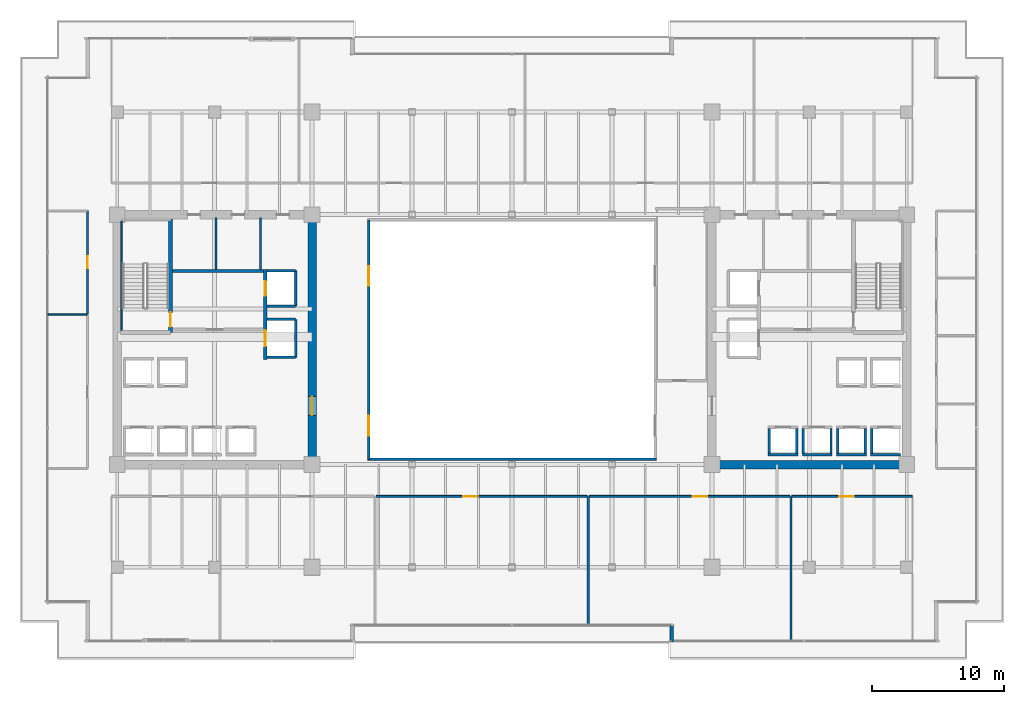
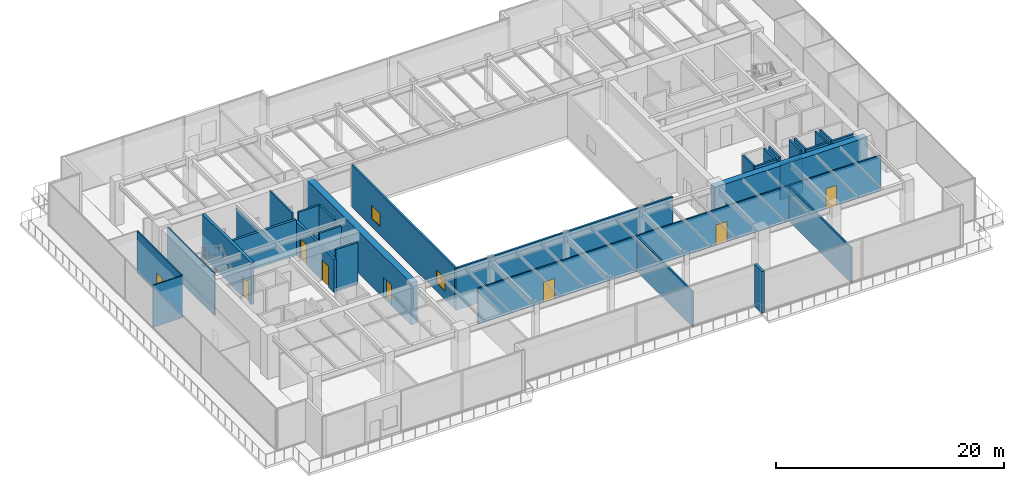
# One storey, part 26 of 33: 35 walls, 8 doors, 2 windows, 10 openings.
"""IFC4 building model written with IfcOpenShell, lengths in metres."""

from ifc_helpers import new_model, si_unit, direction, frame, frame_2d, origin, place, context, subcontext, project, spatial, rectangle, extrude, source, transform, mapped, material, layer, layer_set, type_object, type_shapes, element, fill, save


model = new_model("IFC4")

# Units and contexts
model_context = context("Model", 3, precision=1e-05, world=origin(), true_north=direction((0.0, 1.0)))
body_context = subcontext(model_context, "Body", "Model", "MODEL_VIEW")
ifc_project = project(units=[si_unit("LENGTHUNIT", "METRE"), si_unit("AREAUNIT", "SQUARE_METRE"), si_unit("VOLUMEUNIT", "CUBIC_METRE"), si_unit("PLANEANGLEUNIT", "RADIAN"), si_unit("MASSUNIT", "GRAM", prefix="KILO")], contexts=[model_context])

# Site, building, storey
site_placement = place(None, origin())
site = spatial("IfcSite", under=ifc_project, at=site_placement, CompositionType="ELEMENT")
building_placement = place(site_placement, origin())
building = spatial("IfcBuilding", under=site, at=building_placement, Name="Haelvirn Gate Laboratories", CompositionType="ELEMENT")
storey_placement = place(building_placement, frame((0.0, 0.0, 100.300048828125)))
storey = spatial("IfcBuildingStorey", under=building, at=storey_placement, Name="L24", CompositionType="ELEMENT", Elevation=100.300048828125)

# Walls
ifc_material_1 = material(Name="Thermally-broken bronze aluminium rainscreen & mineral wool", Category="aluminium")
ifc_layer_1 = layer(ifc_material_1, 0.280029296875, Name="EW-TERR-280")
ifc_layer_set_1 = layer_set([ifc_layer_1], Name="Thermally-broken bronze aluminium rainscreen & mineral wool")
wall_type_1 = type_object("IfcWallType", Name="EW-TERR-280", PredefinedType="STANDARD", material=ifc_layer_set_1)
wall_1_placement = place(storey_placement, frame((49.5400390625, 2.587890625, 0.0), z_axis=(0.0, 0.0, 1.0), x_axis=(0.0, -1.0, 0.0)))
element("IfcWall", 1, at=wall_1_placement, inside=storey, type_object=wall_type_1, Name="L24 Atrium Recess Bronze Return Wall 03", PredefinedType="STANDARD", context=body_context, shape_type="SweptSolid", body=[
    extrude(rectangle(XDim=1.287841796875, YDim=0.280029296875, at=frame_2d((0.64404296875, 0.0))), origin(), (0.0, 0.0, 1.0), 4.489990234375),
])
ifc_material_2 = material(Name="Double-layer acoustic gypsum laboratory partition", Category="gypsum")
ifc_layer_2 = layer(ifc_material_2, 0.159912109375, Name="IW-ACOUST-160")
ifc_layer_set_2 = layer_set([ifc_layer_2], Name="Double-layer acoustic gypsum laboratory partition")
wall_type_2 = type_object("IfcWallType", Name="IW-ACOUST-160", PredefinedType="PARTITIONING", material=ifc_layer_set_2)
wall_2_placement = place(storey_placement, frame((43.199951171875, 2.610107421875, 0.0), z_axis=(0.0, 0.0, 1.0), x_axis=(0.0, 1.0, 0.0)))
element("IfcWall", 2, at=wall_2_placement, inside=storey, type_object=wall_type_2, Name="L24 Interior Wall IW-L24-SDIV-03", PredefinedType="PARTITIONING", context=body_context, shape_type="SweptSolid", body=[
    extrude(rectangle(XDim=9.77978515625, YDim=0.159912109375, at=frame_2d((4.889892578125, 0.0))), origin(), (0.0, 0.0, 1.0), 3.77490234375),
])
wall_3_placement = place(storey_placement, frame((58.60009765625, 1.409912109375, 0.0), z_axis=(0.0, 0.0, 1.0), x_axis=(0.0, 1.0, 0.0)))
element("IfcWall", 3, at=wall_3_placement, inside=storey, type_object=wall_type_2, Name="L24 Interior Wall IW-L24-SDIV-04", PredefinedType="PARTITIONING", context=body_context, shape_type="SweptSolid", body=[
    extrude(rectangle(XDim=10.97998046875, YDim=0.159912109375, at=frame_2d((5.489990234375, 0.0))), origin(), (0.0, 0.0, 1.0), 3.77490234375),
])

# Wall, openings, windows
ifc_material_3 = material(Name="Tempered fire-rated borosilicate glass & anodised aluminium", Category="aluminium")
ifc_layer_3 = layer(ifc_material_3, 0.195068359375, Name="IW-GLAZ-200")
ifc_layer_set_3 = layer_set([ifc_layer_3], Name="Tempered fire-rated borosilicate glass & anodised aluminium")
wall_type_3 = type_object("IfcWallType", Name="IW-GLAZ-200", PredefinedType="SOLIDWALL", material=ifc_layer_set_3)
wall_4_placement = place(storey_placement, frame((26.5, 15.199951171875, 0.0), z_axis=(0.0, 0.0, 1.0), x_axis=(0.0, 1.0, 0.0)))
wall_4 = element("IfcWall", 4, at=wall_4_placement, inside=storey, type_object=wall_type_3, Name="L24 Interior Wall IW-L24-ATRIUM-W", PredefinedType="SOLIDWALL", context=body_context, shape_type="SweptSolid", body=[
    extrude(rectangle(XDim=18.199951171875, YDim=0.195068359375, at=frame_2d((9.10009765625, 0.0))), origin(), (0.0, 0.0, 1.0), 4.489990234375),
])
opening_1_placement = place(wall_4_placement, frame((1.800048828125, 0.0, 0.89990234375)))
opening_1 = element("IfcOpeningElement", 5, at=opening_1_placement, cuts=wall_4, Name="Opening W5", PredefinedType="OPENING", context=body_context, shape_type="SweptSolid", body=[
    extrude(rectangle(XDim=1.5, YDim=1.39990234375, at=frame_2d((0.75, 0.699951171875))), frame((0.0, 0.107421875, 0.0), z_axis=(0.0, -1.0, 0.0), x_axis=(1.0, 0.0, 0.0)), (0.0, 0.0, 1.0), 0.215087890625),
])
opening_2_placement = place(wall_4_placement, frame((13.199951171875, 0.0, 0.89990234375)))
opening_2 = element("IfcOpeningElement", 6, at=opening_2_placement, cuts=wall_4, Name="Opening W5", PredefinedType="OPENING", context=body_context, shape_type="SweptSolid", body=[
    extrude(rectangle(XDim=1.5, YDim=1.39990234375, at=frame_2d((0.75, 0.699951171875))), frame((0.0, 0.107421875, 0.0), z_axis=(0.0, -1.0, 0.0), x_axis=(1.0, 0.0, 0.0)), (0.0, 0.0, 1.0), 0.215087890625),
])
ifc_material_4 = material(Name="Fire-rated EI 120 borosilicate atrium vision glazing", Category="glass")
window_type = type_object("IfcWindowType", Name="WN-ATR-1500", PartitioningType="SINGLE_PANEL", PredefinedType="WINDOW", material=ifc_material_4)
shared_shape_1 = source(origin(), body_context, "Body", "SweptSolid", [
    extrude(rectangle(XDim=1.5, YDim=1.39990234375, at=frame_2d((0.75, 0.699951171875))), frame((0.0, 0.030029296875, 0.0), z_axis=(0.0, -1.0, 0.0), x_axis=(1.0, 0.0, 0.0)), (0.0, 0.0, 1.0), 0.06005859375),
])
type_shapes(window_type, [shared_shape_1])
window_1_placement = place(opening_1_placement, origin())
window_1 = element("IfcWindow", 7, at=window_1_placement, inside=storey, type_object=window_type, Name="L24 Atrium Observation Window 1", OverallHeight=1.39990234375, OverallWidth=1.5, PartitioningType="SINGLE_PANEL", PredefinedType="WINDOW", context=body_context, shape_type="MappedRepresentation", body=[
    mapped(shared_shape_1, transform((0.0, 0.0, 0.0), scale=1.0)),
])
fill(opening_1, window_1)
window_2_placement = place(opening_2_placement, origin())
window_2 = element("IfcWindow", 8, at=window_2_placement, inside=storey, type_object=window_type, Name="L24 Atrium Observation Window 2", OverallHeight=1.39990234375, OverallWidth=1.5, PartitioningType="SINGLE_PANEL", PredefinedType="WINDOW", context=body_context, shape_type="MappedRepresentation", body=[
    mapped(shared_shape_1, transform((0.0, 0.0, 0.0), scale=1.0)),
])
fill(opening_2, window_2)

# Walls
wall_5_placement = place(storey_placement, frame((26.39990234375, 15.199951171875, 0.0), z_axis=(0.0, 0.0, 1.0), x_axis=(1.0, 0.0, 0.0)))
element("IfcWall", 9, at=wall_5_placement, inside=storey, type_object=wall_type_3, Name="L24 Interior Wall IW-L24-ATRIUM-S", PredefinedType="SOLIDWALL", context=body_context, shape_type="SweptSolid", body=[
    extrude(rectangle(XDim=22.0, YDim=0.195068359375, at=frame_2d((11.0, 0.0))), origin(), (0.0, 0.0, 1.0), 4.489990234375),
])
ifc_material_5 = material(Name="Lightweight acoustic gypsum board partition", Category="gypsum")
ifc_layer_4 = layer(ifc_material_5, 0.1201171875, Name="IW-PART-120")
ifc_layer_set_4 = layer_set([ifc_layer_4], Name="Lightweight acoustic gypsum board partition")
wall_type_4 = type_object("IfcWallType", Name="IW-PART-120", PredefinedType="PARTITIONING", material=ifc_layer_set_4)
wall_6_placement = place(storey_placement, frame((2.110107421875, 26.199951171875, 0.0), z_axis=(0.0, 0.0, 1.0), x_axis=(1.0, 0.0, 0.0)))
element("IfcWall", 10, at=wall_6_placement, inside=storey, type_object=wall_type_4, Name="L24 Interior Wall IW-L24-WDIV-01", PredefinedType="PARTITIONING", context=body_context, shape_type="SweptSolid", body=[
    extrude(rectangle(XDim=3.019775390625, YDim=0.1201171875, at=frame_2d((1.509765625, 0.0))), origin(), (0.0, 0.0, 1.0), 4.489990234375),
])

# Wall, opening, door
wall_7_placement = place(storey_placement, frame((5.1298828125, 26.260009765625, 0.0), z_axis=(0.0, 0.0, 1.0), x_axis=(0.0, 1.0, 0.0)))
wall_7 = element("IfcWall", 11, at=wall_7_placement, inside=storey, type_object=wall_type_4, Name="L24 Interior Wall IW-L24-WPASS-02", PredefinedType="PARTITIONING", context=body_context, shape_type="SweptSolid", body=[
    extrude(rectangle(XDim=7.824951171875, YDim=0.1201171875, at=frame_2d((3.91259765625, 0.0))), origin(), (0.0, 0.0, 1.0), 4.489990234375),
])
opening_3_placement = place(wall_7_placement, frame((3.46240234375, 0.0, 0.0)))
opening_3 = element("IfcOpeningElement", 12, at=opening_3_placement, cuts=wall_7, Name="Opening D4", PredefinedType="OPENING", context=body_context, shape_type="SweptSolid", body=[
    extrude(rectangle(XDim=0.89990234375, YDim=2.10009765625, at=frame_2d((0.449951171875, 1.050048828125))), frame((0.0, 0.070068359375, 0.0), z_axis=(0.0, -1.0, 0.0), x_axis=(1.0, 0.0, 0.0)), (0.0, 0.0, 1.0), 0.14013671875),
])
ifc_material_6 = material(Name="Glazed aluminium-framed write-up door", Category="aluminium")
door_type_1 = type_object("IfcDoorType", Name="DR-OFF-900", OperationType="NOTDEFINED", PredefinedType="DOOR", material=ifc_material_6)
shared_shape_2 = source(origin(), body_context, "Body", "SweptSolid", [
    extrude(rectangle(XDim=0.89990234375, YDim=2.10009765625, at=frame_2d((0.449951171875, 1.050048828125))), frame((0.0, 0.02490234375, 0.0), z_axis=(0.0, -1.0, 0.0), x_axis=(1.0, 0.0, 0.0)), (0.0, 0.0, 1.0), 0.050048828125),
])
type_shapes(door_type_1, [shared_shape_2])
door_1_placement = place(opening_3_placement, origin())
door_1 = element("IfcDoor", 13, at=door_1_placement, inside=storey, type_object=door_type_1, Name="L24 Cryo-EM Imaging Suite Door W2", OperationType="SINGLE_SWING_RIGHT", OverallHeight=2.10009765625, OverallWidth=0.89990234375, PredefinedType="DOOR", context=body_context, shape_type="MappedRepresentation", body=[
    mapped(shared_shape_2, transform((0.0, 0.0, 0.0), scale=1.0)),
])
fill(opening_3, door_1)

ifc_material_7 = material(Name="Acoustic mineral-wool gypsum board partition", Category="gypsum")
ifc_layer_5 = layer(ifc_material_7, 0.139892578125, Name="IW-PART-140")
ifc_layer_set_5 = layer_set([ifc_layer_5], Name="Acoustic mineral-wool gypsum board partition")
wall_type_5 = type_object("IfcWallType", Name="IW-PART-140", PredefinedType="PARTITIONING", material=ifc_layer_set_5)
wall_8_placement = place(storey_placement, frame((27.080078125, 12.389892578125, 0.0), z_axis=(0.0, 0.0, 1.0), x_axis=(1.0, 0.0, 0.0)))
wall_8 = element("IfcWall", 14, at=wall_8_placement, inside=storey, type_object=wall_type_5, Name="L24 Interior Wall IW-L24-SCORR-03", PredefinedType="PARTITIONING", context=body_context, shape_type="SweptSolid", body=[
    extrude(rectangle(XDim=16.0400390625, YDim=0.139892578125, at=frame_2d((8.02001953125, 0.0))), origin(), (0.0, 0.0, 1.0), 3.824951171875),
])
opening_4_placement = place(wall_8_placement, frame((6.615478515625, 0.0, 0.0)))
opening_4 = element("IfcOpeningElement", 15, at=opening_4_placement, cuts=wall_8, Name="Opening D1", PredefinedType="OPENING", context=body_context, shape_type="SweptSolid", body=[
    extrude(rectangle(XDim=1.10009765625, YDim=2.179931640625, at=frame_2d((0.550048828125, 1.08984375))), frame((0.0, 0.080078125, 0.0), z_axis=(0.0, -1.0, 0.0), x_axis=(1.0, 0.0, 0.0)), (0.0, 0.0, 1.0), 0.159912109375),
])
ifc_material_8 = material(Name="Vision-panel acoustic solid-core timber lab door", Category="wood")
door_type_2 = type_object("IfcDoorType", Name="DR-LAB-1100", OperationType="NOTDEFINED", PredefinedType="DOOR", material=ifc_material_8)
shared_shape_3 = source(origin(), body_context, "Body", "SweptSolid", [
    extrude(rectangle(XDim=1.10009765625, YDim=2.179931640625, at=frame_2d((0.550048828125, 1.08984375))), frame((0.0, 0.02490234375, 0.0), z_axis=(0.0, -1.0, 0.0), x_axis=(1.0, 0.0, 0.0)), (0.0, 0.0, 1.0), 0.050048828125),
])
type_shapes(door_type_2, [shared_shape_3])
door_2_placement = place(opening_4_placement, origin())
door_2 = element("IfcDoor", 16, at=door_2_placement, inside=storey, type_object=door_type_2, Name="L24 Executive Conference Suite Door S3", OperationType="SINGLE_SWING_LEFT", OverallHeight=2.179931640625, OverallWidth=1.10009765625, PredefinedType="DOOR", context=body_context, shape_type="MappedRepresentation", body=[
    mapped(shared_shape_3, transform((0.0, 0.0, 0.0), scale=1.0)),
])
fill(opening_4, door_2)

wall_9_placement = place(storey_placement, frame((43.280029296875, 12.389892578125, 0.0), z_axis=(0.0, 0.0, 1.0), x_axis=(1.0, 0.0, 0.0)))
wall_9 = element("IfcWall", 17, at=wall_9_placement, inside=storey, type_object=wall_type_5, Name="L24 Interior Wall IW-L24-SCORR-04", PredefinedType="PARTITIONING", context=body_context, shape_type="SweptSolid", body=[
    extrude(rectangle(XDim=15.239990234375, YDim=0.139892578125, at=frame_2d((7.6201171875, 0.0))), origin(), (0.0, 0.0, 1.0), 3.824951171875),
])
opening_5_placement = place(wall_9_placement, frame((7.87646484375, 0.0, 0.0)))
opening_5 = element("IfcOpeningElement", 18, at=opening_5_placement, cuts=wall_9, Name="Opening D1", PredefinedType="OPENING", context=body_context, shape_type="SweptSolid", body=[
    extrude(rectangle(XDim=1.10009765625, YDim=2.179931640625, at=frame_2d((0.550048828125, 1.08984375))), frame((0.0, 0.080078125, 0.0), z_axis=(0.0, -1.0, 0.0), x_axis=(1.0, 0.0, 0.0)), (0.0, 0.0, 1.0), 0.159912109375),
])
door_3_placement = place(opening_5_placement, origin())
door_3 = element("IfcDoor", 19, at=door_3_placement, inside=storey, type_object=door_type_2, Name="L24 Executive Conference Suite Door S4", OperationType="SINGLE_SWING_RIGHT", OverallHeight=2.179931640625, OverallWidth=1.10009765625, PredefinedType="DOOR", context=body_context, shape_type="MappedRepresentation", body=[
    mapped(shared_shape_3, transform((0.0, 0.0, 0.0), scale=1.0)),
])
fill(opening_5, door_3)

wall_10_placement = place(storey_placement, frame((58.679931640625, 12.389892578125, 0.0), z_axis=(0.0, 0.0, 1.0), x_axis=(1.0, 0.0, 0.0)))
wall_10 = element("IfcWall", 20, at=wall_10_placement, inside=storey, type_object=wall_type_5, Name="L24 Interior Wall IW-L24-SCORR-05", PredefinedType="PARTITIONING", context=body_context, shape_type="SweptSolid", body=[
    extrude(rectangle(XDim=9.14013671875, YDim=0.139892578125, at=frame_2d((4.570068359375, 0.0))), origin(), (0.0, 0.0, 1.0), 3.824951171875),
])
opening_6_placement = place(wall_10_placement, frame((3.57958984375, 0.0, 0.0)))
opening_6 = element("IfcOpeningElement", 21, at=opening_6_placement, cuts=wall_10, Name="Opening D1", PredefinedType="OPENING", context=body_context, shape_type="SweptSolid", body=[
    extrude(rectangle(XDim=1.10009765625, YDim=2.179931640625, at=frame_2d((0.550048828125, 1.08984375))), frame((0.0, 0.080078125, 0.0), z_axis=(0.0, -1.0, 0.0), x_axis=(1.0, 0.0, 0.0)), (0.0, 0.0, 1.0), 0.159912109375),
])
door_4_placement = place(opening_6_placement, origin())
door_4 = element("IfcDoor", 22, at=door_4_placement, inside=storey, type_object=door_type_2, Name="L24 Executive Conference Suite Door S5", OperationType="SINGLE_SWING_LEFT", OverallHeight=2.179931640625, OverallWidth=1.10009765625, PredefinedType="DOOR", context=body_context, shape_type="MappedRepresentation", body=[
    mapped(shared_shape_3, transform((0.0, 0.0, 0.0), scale=1.0)),
])
fill(opening_6, door_4)

# Walls
ifc_material_9 = material(Name="Cement-board restroom plumbing chase wall", Category="gypsum")
ifc_layer_6 = layer(ifc_material_9, 0.155029296875, Name="IW-PLUMB-160")
ifc_layer_set_6 = layer_set([ifc_layer_6], Name="Cement-board restroom plumbing chase wall")
wall_type_6 = type_object("IfcWallType", Name="IW-PLUMB-160", PredefinedType="PLUMBINGWALL", material=ifc_layer_set_6)
wall_11_placement = place(storey_placement, frame((14.889892578125, 29.64990234375, 0.0), z_axis=(0.0, 0.0, 1.0), x_axis=(0.0, 1.0, 0.0)))
element("IfcWall", 23, at=wall_11_placement, inside=storey, type_object=wall_type_6, Name="L24 Interior Wall IW-L24-W-CDIV-1", PredefinedType="PLUMBINGWALL", context=body_context, shape_type="SweptSolid", body=[
    extrude(rectangle(XDim=3.93017578125, YDim=0.155029296875, at=frame_2d((1.965087890625, 0.0))), origin(), (0.0, 0.0, 1.0), 3.824951171875),
])
wall_12_placement = place(storey_placement, frame((18.2900390625, 29.64990234375, 0.0), z_axis=(0.0, 0.0, 1.0), x_axis=(0.0, 1.0, 0.0)))
element("IfcWall", 24, at=wall_12_placement, inside=storey, type_object=wall_type_6, Name="L24 Interior Wall IW-L24-W-CDIV-2", PredefinedType="PLUMBINGWALL", context=body_context, shape_type="SweptSolid", body=[
    extrude(rectangle(XDim=3.93017578125, YDim=0.155029296875, at=frame_2d((1.965087890625, 0.0))), origin(), (0.0, 0.0, 1.0), 4.489990234375),
])
ifc_material_10 = material(Name="Concrete C40/50", Category="concrete")
ifc_layer_7 = layer(ifc_material_10, 0.179931640625, Name="IW-SHAFT-180")
ifc_layer_set_7 = layer_set([ifc_layer_7], Name="Concrete C40/50")
wall_type_7 = type_object("IfcWallType", Name="IW-SHAFT-180", PredefinedType="SOLIDWALL", material=ifc_layer_set_7)
for number, where, z_axis, x_axis, name in (
    (25, (64.75, 15.64990234375, 0.0), (0.0, 0.0, 1.0), (0.0, 1.0, 0.0), "L24 Interior Wall IW-L24-PL3-SD"),
    (26, (62.14990234375, 15.64990234375, 0.0), (0.0, 0.0, 1.0), (0.0, 1.0, 0.0), "L24 Interior Wall IW-L24-PL4-SD"),
    (27, (64.25, 15.64990234375, 0.0), (0.0, 0.0, 1.0), (0.0, 1.0, 0.0), "L24 Interior Wall IW-L24-PL4-SDE"),
    (28, (59.550048828125, 15.64990234375, 0.0), (0.0, 0.0, 1.0), (0.0, 1.0, 0.0), "L24 Interior Wall IW-L24-PL7-SD"),
    (29, (61.64990234375, 15.64990234375, 0.0), (0.0, 0.0, 1.0), (0.0, 1.0, 0.0), "L24 Interior Wall IW-L24-PL7-SDE"),
    (30, (56.949951171875, 15.64990234375, 0.0), (0.0, 0.0, 1.0), (0.0, 1.0, 0.0), "L24 Interior Wall IW-L24-PL8-SD"),
    (31, (59.050048828125, 15.64990234375, 0.0), (0.0, 0.0, 1.0), (0.0, 1.0, 0.0), "L24 Interior Wall IW-L24-PL8-SDE"),
):
    element("IfcWall", number, at=place(storey_placement, frame(where, z_axis=z_axis, x_axis=x_axis)), inside=storey, type_object=wall_type_7, Name=name, PredefinedType="SOLIDWALL", context=body_context, shape_type="SweptSolid", body=[
        extrude(rectangle(XDim=1.900146484375, YDim=0.179931640625, at=frame_2d((0.9501953125, 0.0))), origin(), (0.0, 0.0, 1.0), 4.489990234375),
    ])
ifc_layer_8 = layer(ifc_material_10, 0.199951171875, Name="IW-SHAFT-200")
ifc_layer_set_8 = layer_set([ifc_layer_8], Name="Concrete C40/50")
wall_type_8 = type_object("IfcWallType", Name="IW-SHAFT-200", PredefinedType="SOLIDWALL", material=ifc_layer_set_8)
wall_13_placement = place(storey_placement, frame((20.949951171875, 26.85009765625, 0.0), z_axis=(0.0, 0.0, 1.0), x_axis=(0.0, 1.0, 0.0)))
element("IfcWall", 32, at=wall_13_placement, inside=storey, type_object=wall_type_8, Name="L24 Interior Wall IW-L24-FL1-BK", PredefinedType="SOLIDWALL", context=body_context, shape_type="SweptSolid", body=[
    extrude(rectangle(XDim=2.699951171875, YDim=0.199951171875, at=frame_2d((1.35009765625, 0.0))), origin(), (0.0, 0.0, 1.0), 4.489990234375),
])
wall_14_placement = place(storey_placement, frame((18.760009765625, 29.550048828125, 0.0), z_axis=(0.0, 0.0, 1.0), x_axis=(1.0, 0.0, 0.0)))
element("IfcWall", 33, at=wall_14_placement, inside=storey, type_object=wall_type_8, Name="L24 Interior Wall IW-L24-FL1-N", PredefinedType="SOLIDWALL", context=body_context, shape_type="SweptSolid", body=[
    extrude(rectangle(XDim=2.18994140625, YDim=0.199951171875, at=frame_2d((1.094970703125, 0.0))), origin(), (0.0, 0.0, 1.0), 4.489990234375),
])
wall_15_placement = place(storey_placement, frame((18.760009765625, 26.85009765625, 0.0), z_axis=(0.0, 0.0, 1.0), x_axis=(1.0, 0.0, 0.0)))
element("IfcWall", 34, at=wall_15_placement, inside=storey, type_object=wall_type_8, Name="L24 Interior Wall IW-L24-FL1-S", PredefinedType="SOLIDWALL", context=body_context, shape_type="SweptSolid", body=[
    extrude(rectangle(XDim=2.18994140625, YDim=0.199951171875, at=frame_2d((1.094970703125, 0.0))), origin(), (0.0, 0.0, 1.0), 3.886962890625),
])
wall_16_placement = place(storey_placement, frame((20.949951171875, 22.949951171875, 0.0), z_axis=(0.0, 0.0, 1.0), x_axis=(0.0, 1.0, 0.0)))
element("IfcWall", 35, at=wall_16_placement, inside=storey, type_object=wall_type_8, Name="L24 Interior Wall IW-L24-SL1-BK", PredefinedType="SOLIDWALL", context=body_context, shape_type="SweptSolid", body=[
    extrude(rectangle(XDim=2.900146484375, YDim=0.199951171875, at=frame_2d((1.4501953125, 0.0))), origin(), (0.0, 0.0, 1.0), 3.574951171875),
])
for number, where, z_axis, x_axis, name in (
    (36, (18.760009765625, 25.85009765625, 0.0), (0.0, 0.0, 1.0), (1.0, 0.0, 0.0), "L24 Interior Wall IW-L24-SL1-N"),
    (37, (18.760009765625, 22.949951171875, 0.0), (0.0, 0.0, 1.0), (1.0, 0.0, 0.0), "L24 Interior Wall IW-L24-SL1-S"),
):
    element("IfcWall", number, at=place(storey_placement, frame(where, z_axis=z_axis, x_axis=x_axis)), inside=storey, type_object=wall_type_8, Name=name, PredefinedType="SOLIDWALL", context=body_context, shape_type="SweptSolid", body=[
        extrude(rectangle(XDim=2.18994140625, YDim=0.199951171875, at=frame_2d((1.094970703125, 0.0))), origin(), (0.0, 0.0, 1.0), 4.489990234375),
    ])
for number, where, z_axis, x_axis, name in (
    (38, (64.669921875, 15.550048828125, 0.0), (0.0, 0.0, 1.0), (1.0, 0.0, 0.0), "L24 Interior Wall IW-L24-PL3-BK"),
    (39, (62.070068359375, 15.550048828125, 0.0), (0.0, 0.0, 1.0), (1.0, 0.0, 0.0), "L24 Interior Wall IW-L24-PL4-BK"),
):
    element("IfcWall", number, at=place(storey_placement, frame(where, z_axis=z_axis, x_axis=x_axis)), inside=storey, type_object=wall_type_8, Name=name, PredefinedType="SOLIDWALL", context=body_context, shape_type="SweptSolid", body=[
        extrude(rectangle(XDim=2.260009765625, YDim=0.199951171875, at=frame_2d((1.1298828125, 0.0))), origin(), (0.0, 0.0, 1.0), 4.489990234375),
    ])
wall_17_placement = place(storey_placement, frame((59.469970703125, 15.550048828125, 0.0), z_axis=(0.0, 0.0, 1.0), x_axis=(1.0, 0.0, 0.0)))
element("IfcWall", 40, at=wall_17_placement, inside=storey, type_object=wall_type_8, Name="L24 Interior Wall IW-L24-PL7-BK", PredefinedType="SOLIDWALL", context=body_context, shape_type="SweptSolid", body=[
    extrude(rectangle(XDim=2.260009765625, YDim=0.199951171875, at=frame_2d((1.1298828125, 0.0))), origin(), (0.0, 0.0, 1.0), 3.824951171875),
])
wall_18_placement = place(storey_placement, frame((56.8701171875, 15.550048828125, 0.0), z_axis=(0.0, 0.0, 1.0), x_axis=(1.0, 0.0, 0.0)))
element("IfcWall", 41, at=wall_18_placement, inside=storey, type_object=wall_type_8, Name="L24 Interior Wall IW-L24-PL8-BK", PredefinedType="SOLIDWALL", context=body_context, shape_type="SweptSolid", body=[
    extrude(rectangle(XDim=2.259765625, YDim=0.199951171875, at=frame_2d((1.1298828125, 0.0))), origin(), (0.0, 0.0, 1.0), 4.489990234375),
])
ifc_layer_9 = layer(ifc_material_10, 0.239990234375, Name="IW-SHAFT-240")
ifc_layer_set_9 = layer_set([ifc_layer_9], Name="Concrete C40/50")
wall_type_9 = type_object("IfcWallType", Name="IW-SHAFT-240", PredefinedType="SOLIDWALL", material=ifc_layer_set_9)
wall_19_placement = place(storey_placement, frame((11.60009765625, 29.52001953125, 0.0), z_axis=(0.0, 0.0, 1.0), x_axis=(1.0, 0.0, 0.0)))
element("IfcWall", 42, at=wall_19_placement, inside=storey, type_object=wall_type_9, Name="L24 Interior Wall IW-L24-W-FF-N", PredefinedType="SOLIDWALL", context=body_context, shape_type="SweptSolid", body=[
    extrude(rectangle(XDim=6.919921875, YDim=0.239990234375, at=frame_2d((3.4599609375, 0.0))), origin(), (0.0, 0.0, 1.0), 3.824951171875),
])

# Wall, openings, doors
wall_20_placement = place(storey_placement, frame((18.639892578125, 22.800048828125, 0.0), z_axis=(0.0, 0.0, 1.0), x_axis=(0.0, 1.0, 0.0)))
wall_20 = element("IfcWall", 43, at=wall_20_placement, inside=storey, type_object=wall_type_9, Name="L24 Interior Wall IW-L24-W-FF-E", PredefinedType="SOLIDWALL", context=body_context, shape_type="SweptSolid", body=[
    extrude(rectangle(XDim=6.849853515625, YDim=0.239990234375, at=frame_2d((3.4248046875, 0.0))), origin(), (0.0, 0.0, 1.0), 3.574951171875),
])
opening_7_placement = place(wall_20_placement, frame((4.85009765625, 0.0, 0.0)))
opening_7 = element("IfcOpeningElement", 44, at=opening_7_placement, cuts=wall_20, Name="Opening LD2", PredefinedType="OPENING", context=body_context, shape_type="SweptSolid", body=[
    extrude(rectangle(XDim=1.10009765625, YDim=2.219970703125, at=frame_2d((0.550048828125, 1.10986328125))), frame((0.0, 0.1298828125, 0.0), z_axis=(0.0, -1.0, 0.0), x_axis=(1.0, 0.0, 0.0)), (0.0, 0.0, 1.0), 0.260009765625),
])
opening_8_placement = place(wall_20_placement, frame((1.0, 0.0, 0.0)))
opening_8 = element("IfcOpeningElement", 45, at=opening_8_placement, cuts=wall_20, Name="Opening LD1", PredefinedType="OPENING", context=body_context, shape_type="SweptSolid", body=[
    extrude(rectangle(XDim=1.199951171875, YDim=2.219970703125, at=frame_2d((0.60009765625, 1.10986328125))), frame((0.0, 0.1298828125, 0.0), z_axis=(0.0, -1.0, 0.0), x_axis=(1.0, 0.0, 0.0)), (0.0, 0.0, 1.0), 0.260009765625),
])
ifc_material_11 = material(Name="Bronze stainless 316L sliding lift landing door")
door_type_3 = type_object("IfcDoorType", Name="DR-LD-1100", OperationType="NOTDEFINED", PredefinedType="USERDEFINED", material=ifc_material_11)
shared_shape_4 = source(origin(), body_context, "Body", "SweptSolid", [
    extrude(rectangle(XDim=1.10009765625, YDim=2.219970703125, at=frame_2d((0.550048828125, 1.10986328125))), frame((0.0, 0.02490234375, 0.0), z_axis=(0.0, -1.0, 0.0), x_axis=(1.0, 0.0, 0.0)), (0.0, 0.0, 1.0), 0.050048828125),
])
type_shapes(door_type_3, [shared_shape_4])
door_5_placement = place(opening_7_placement, origin())
door_5 = element("IfcDoor", 46, at=door_5_placement, inside=storey, type_object=door_type_3, Name="L24 Firefighting Lift FL1 Landing Door", ObjectType="LANDING_DOOR", OperationType="SLIDING_TO_LEFT", OverallHeight=2.219970703125, OverallWidth=1.10009765625, PredefinedType="USERDEFINED", context=body_context, shape_type="MappedRepresentation", body=[
    mapped(shared_shape_4, transform((0.0, 0.0, 0.0), scale=1.0)),
])
fill(opening_7, door_5)
ifc_material_12 = material(Name="Stainless steel 316L sliding goods landing door", Category="steel")
door_type_4 = type_object("IfcDoorType", Name="DR-LD-1200", OperationType="NOTDEFINED", PredefinedType="USERDEFINED", material=ifc_material_12)
shared_shape_5 = source(origin(), body_context, "Body", "SweptSolid", [
    extrude(rectangle(XDim=1.199951171875, YDim=2.219970703125, at=frame_2d((0.60009765625, 1.10986328125))), frame((0.0, 0.02490234375, 0.0), z_axis=(0.0, -1.0, 0.0), x_axis=(1.0, 0.0, 0.0)), (0.0, 0.0, 1.0), 0.050048828125),
])
type_shapes(door_type_4, [shared_shape_5])
door_6_placement = place(opening_8_placement, origin())
door_6 = element("IfcDoor", 47, at=door_6_placement, inside=storey, type_object=door_type_4, Name="L24 Service Lift SL1 Landing Door", ObjectType="LANDING_DOOR", OperationType="SLIDING_TO_RIGHT", OverallHeight=2.219970703125, OverallWidth=1.199951171875, PredefinedType="USERDEFINED", context=body_context, shape_type="MappedRepresentation", body=[
    mapped(shared_shape_5, transform((0.0, 0.0, 0.0), scale=1.0)),
])
fill(opening_8, door_6)

# Wall, opening, door
ifc_material_13 = material(Name="Concrete C60/75", Category="concrete")
ifc_layer_10 = layer(ifc_material_13, 0.64990234375, Name="SW-CORE-650")
ifc_layer_set_10 = layer_set([ifc_layer_10], Name="Concrete C60/75")
wall_type_10 = type_object("IfcWallType", Name="SW-CORE-650", PredefinedType="SHEAR", material=ifc_layer_set_10)
wall_21_placement = place(storey_placement, frame((22.199951171875, 15.125, 0.0), z_axis=(0.0, 0.0, 1.0), x_axis=(0.0, 1.0, 0.0)))
wall_21 = element("IfcWall", 48, at=wall_21_placement, inside=storey, type_object=wall_type_10, Name="L24 W Core Shear Wall E", PredefinedType="SHEAR", context=body_context, shape_type="SweptSolid", body=[
    extrude(rectangle(XDim=18.35009765625, YDim=0.64990234375, at=frame_2d((9.175048828125, 0.0))), origin(), (0.0, 0.0, 1.0), 4.489990234375),
])
opening_9_placement = place(wall_21_placement, frame((3.425048828125, 0.0, 0.0)))
opening_9 = element("IfcOpeningElement", 49, at=opening_9_placement, cuts=wall_21, Name="Opening FD1", PredefinedType="OPENING", context=body_context, shape_type="SweptSolid", body=[
    extrude(rectangle(XDim=1.419921875, YDim=2.199951171875, at=frame_2d((0.7099609375, 1.10009765625))), frame((0.0, 0.3349609375, 0.0), z_axis=(0.0, -1.0, 0.0), x_axis=(1.0, 0.0, 0.0)), (0.0, 0.0, 1.0), 0.669921875),
])
ifc_material_14 = material(Name="Fire-rated double steel SM355 lobby door", Category="steel")
door_type_5 = type_object("IfcDoorType", Name="DR-FD-1400", OperationType="NOTDEFINED", PredefinedType="DOOR", material=ifc_material_14)
shared_shape_6 = source(origin(), body_context, "Body", "SweptSolid", [
    extrude(rectangle(XDim=1.419921875, YDim=2.199951171875, at=frame_2d((0.7099609375, 1.10009765625))), frame((0.0, 0.02490234375, 0.0), z_axis=(0.0, -1.0, 0.0), x_axis=(1.0, 0.0, 0.0)), (0.0, 0.0, 1.0), 0.050048828125),
])
type_shapes(door_type_5, [shared_shape_6])
door_7_placement = place(opening_9_placement, origin())
door_7 = element("IfcDoor", 50, at=door_7_placement, inside=storey, type_object=door_type_5, Name="L24 West Core Lift Lobby Fire Door", OperationType="DOUBLE_DOOR_SINGLE_SWING", OverallHeight=2.199951171875, OverallWidth=1.419921875, PredefinedType="DOOR", context=body_context, shape_type="MappedRepresentation", body=[
    mapped(shared_shape_6, transform((0.0, 0.0, 0.0), scale=1.0)),
])
fill(opening_9, door_7)

# Walls
wall_22_placement = place(storey_placement, frame((52.27490234375, 14.800048828125, 0.0), z_axis=(0.0, 0.0, 1.0), x_axis=(1.0, 0.0, 0.0)))
element("IfcWall", 51, at=wall_22_placement, inside=storey, type_object=wall_type_10, Name="L24 E Core Shear Wall S", PredefinedType="SHEAR", context=body_context, shape_type="SweptSolid", body=[
    extrude(rectangle(XDim=15.4501953125, YDim=0.64990234375, at=frame_2d((7.72509765625, 0.0))), origin(), (0.0, 0.0, 1.0), 4.489990234375),
])
ifc_material_15 = material(Name="Concrete C50/60", Category="concrete")
ifc_layer_11 = layer(ifc_material_15, 0.1201171875, Name="SW-LINER-120")
ifc_layer_set_11 = layer_set([ifc_layer_11], Name="Concrete C50/60")
wall_type_11 = type_object("IfcWallType", Name="SW-LINER-120", PredefinedType="SOLIDWALL", material=ifc_layer_set_11)
wall_23_placement = place(storey_placement, frame((7.72998046875, 25.0, 0.0), z_axis=(0.0, 0.0, 1.0), x_axis=(0.0, 1.0, 0.0)))
element("IfcWall", 52, at=wall_23_placement, inside=storey, type_object=wall_type_11, Name="L24 W Core Stair Shaft Liner Wall OUT", PredefinedType="SOLIDWALL", context=body_context, shape_type="SweptSolid", body=[
    extrude(rectangle(XDim=8.320068359375, YDim=0.1201171875, at=frame_2d((4.16015625, 0.0))), origin(), (0.0, 0.0, 1.0), 4.489990234375),
])

# Wall, opening, door
ifc_layer_12 = layer(ifc_material_15, 0.300048828125, Name="SW-STAIR-300")
ifc_layer_set_12 = layer_set([ifc_layer_12], Name="Concrete C50/60")
wall_type_12 = type_object("IfcWallType", Name="SW-STAIR-300", PredefinedType="SHEAR", material=ifc_layer_set_12)
wall_24_placement = place(storey_placement, frame((11.449951171875, 24.85009765625, 0.0), z_axis=(0.0, 0.0, 1.0), x_axis=(0.0, 1.0, 0.0)))
wall_24 = element("IfcWall", 53, at=wall_24_placement, inside=storey, type_object=wall_type_12, Name="L24 W Core Stair Shaft Structural Wall IN", PredefinedType="SHEAR", context=body_context, shape_type="SweptSolid", body=[
    extrude(rectangle(XDim=8.6298828125, YDim=0.300048828125, at=frame_2d((4.31494140625, 0.0))), origin(), (0.0, 0.0, 1.0), 4.489990234375),
])
opening_10_placement = place(wall_24_placement, frame((0.419921875, 0.0, 0.0)))
opening_10 = element("IfcOpeningElement", 54, at=opening_10_placement, cuts=wall_24, Name="Opening FD3", PredefinedType="OPENING", context=body_context, shape_type="SweptSolid", body=[
    extrude(rectangle(XDim=1.10009765625, YDim=2.14990234375, at=frame_2d((0.550048828125, 1.074951171875))), frame((0.0, 0.16015625, 0.0), z_axis=(0.0, -1.0, 0.0), x_axis=(1.0, 0.0, 0.0)), (0.0, 0.0, 1.0), 0.320068359375),
])
ifc_material_16 = material(Name="Fire-rated steel SM355 escape stair door", Category="steel")
door_type_6 = type_object("IfcDoorType", Name="DR-FD-1100", OperationType="NOTDEFINED", PredefinedType="DOOR", material=ifc_material_16)
shared_shape_7 = source(origin(), body_context, "Body", "SweptSolid", [
    extrude(rectangle(XDim=1.10009765625, YDim=2.14990234375, at=frame_2d((0.550048828125, 1.074951171875))), frame((0.0, 0.02490234375, 0.0), z_axis=(0.0, -1.0, 0.0), x_axis=(1.0, 0.0, 0.0)), (0.0, 0.0, 1.0), 0.050048828125),
])
type_shapes(door_type_6, [shared_shape_7])
door_8_placement = place(opening_10_placement, origin())
door_8 = element("IfcDoor", 55, at=door_8_placement, inside=storey, type_object=door_type_6, Name="L24 Escape Stair ST1 Fire Door", OperationType="SINGLE_SWING_LEFT", OverallHeight=2.14990234375, OverallWidth=1.10009765625, PredefinedType="DOOR", context=body_context, shape_type="MappedRepresentation", body=[
    mapped(shared_shape_7, transform((0.0, 0.0, 0.0), scale=1.0)),
])
fill(opening_10, door_8)

save(model, "model.ifc")
